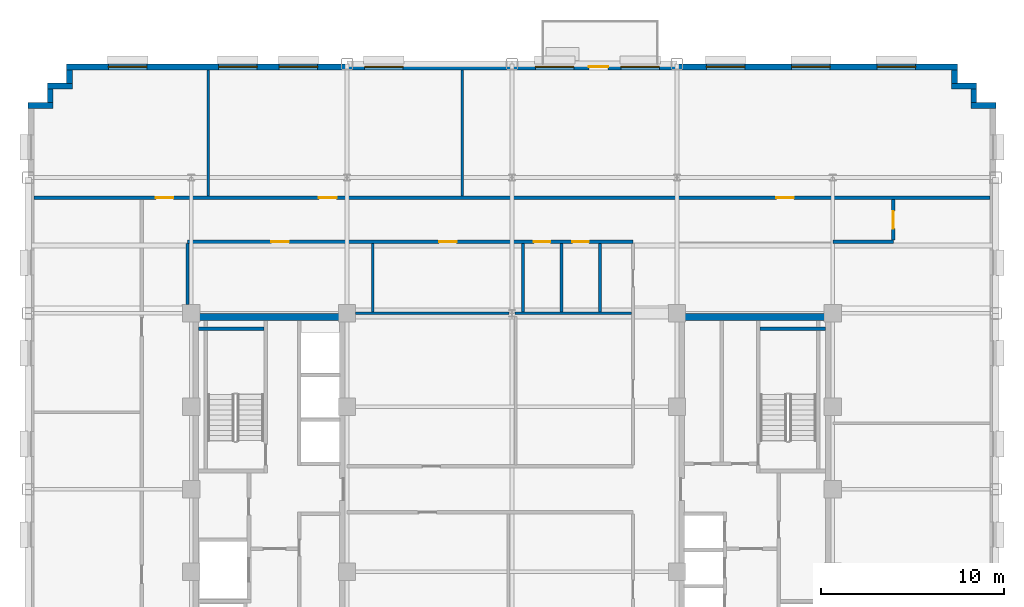
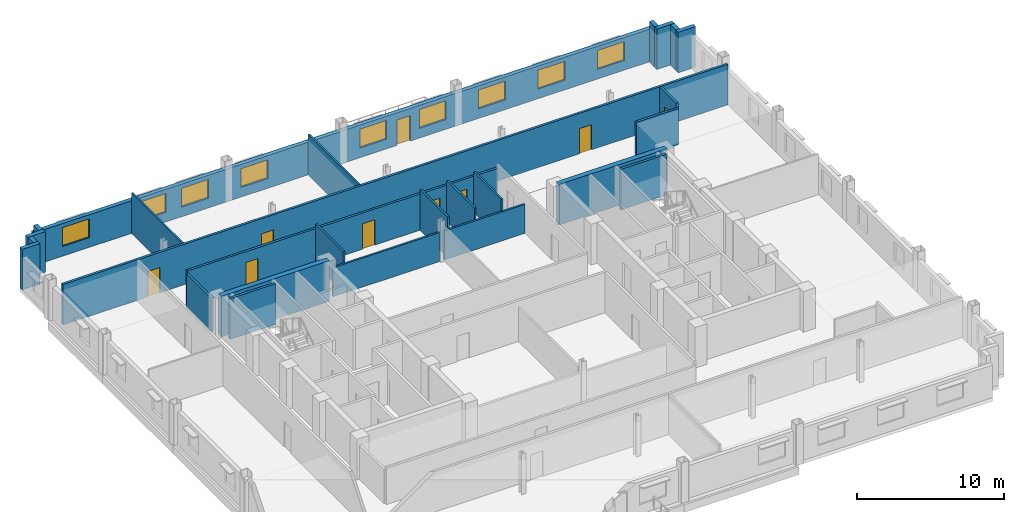
# One storey, part 9 of 14: 26 walls, 9 doors, 9 windows, 18 openings.
"""IFC4 building model written with IfcOpenShell, lengths in metres."""

from ifc_helpers import new_model, si_unit, direction, frame, frame_2d, origin, place, context, subcontext, project, spatial, rectangle, extrude, source, transform, mapped, material, layer, layer_set, type_object, type_shapes, element, fill, save


model = new_model("IFC4")

# Units and contexts
model_context = context("Model", 3, precision=1e-05, world=origin(), true_north=direction((0.0, 1.0)))
body_context = subcontext(model_context, "Body", "Model", "MODEL_VIEW")
ifc_project = project(units=[si_unit("LENGTHUNIT", "METRE"), si_unit("AREAUNIT", "SQUARE_METRE"), si_unit("VOLUMEUNIT", "CUBIC_METRE"), si_unit("PLANEANGLEUNIT", "RADIAN"), si_unit("MASSUNIT", "GRAM", prefix="KILO")], contexts=[model_context])

# Site, building, storey
site_placement = place(None, origin())
site = spatial("IfcSite", under=ifc_project, at=site_placement, CompositionType="ELEMENT")
building_placement = place(site_placement, origin())
building = spatial("IfcBuilding", under=site, at=building_placement, Name="Nuvemarco Arch Tower", CompositionType="ELEMENT")
storey_placement = place(building_placement, frame((0.0, 0.0, 138.449951171875)))
storey = spatial("IfcBuildingStorey", under=building, at=storey_placement, Name="L36", CompositionType="ELEMENT", Elevation=138.449951171875)

# Walls
ifc_material_1 = material(Name="Precast concrete C45/55", Category="concrete")
ifc_layer_1 = layer(ifc_material_1, 0.320068359375, Name="EW-MID-320")
ifc_layer_set_1 = layer_set([ifc_layer_1], Name="Precast concrete C45/55")
wall_type_1 = type_object("IfcWallType", Name="EW-MID-320", PredefinedType="STANDARD", material=ifc_layer_set_1)
wall_1_placement = place(storey_placement, frame((25.030029296875, 20.93994140625, 0.0), z_axis=(0.0, 0.0, 1.0), x_axis=(1.0, 0.0, 0.0)))
element("IfcWall", 1, at=wall_1_placement, inside=storey, type_object=wall_type_1, Name="L36 exterior precast facade wall 7", PredefinedType="STANDARD", context=body_context, shape_type="SweptSolid", body=[
    extrude(rectangle(XDim=1.369873046875, YDim=0.320068359375, at=frame_2d((0.68505859375, 0.0))), origin(), (0.0, 0.0, 1.0), 3.360107421875),
])
wall_2_placement = place(storey_placement, frame((25.18994140625, 21.095947265625, 0.0), z_axis=(0.0, 0.0, 1.0), x_axis=(0.0, 1.0, 0.0)))
element("IfcWall", 2, at=wall_2_placement, inside=storey, type_object=wall_type_1, Name="L36 exterior precast facade wall 8", PredefinedType="STANDARD", context=body_context, shape_type="SweptSolid", body=[
    extrude(rectangle(XDim=0.738037109375, YDim=0.320068359375, at=frame_2d((0.369140625, 0.0))), origin(), (0.0, 0.0, 1.0), 3.360107421875),
])
wall_3_placement = place(storey_placement, frame((23.97998046875, 21.989990234375, 0.0), z_axis=(0.0, 0.0, 1.0), x_axis=(1.0, 0.0, 0.0)))
element("IfcWall", 3, at=wall_3_placement, inside=storey, type_object=wall_type_1, Name="L36 exterior precast facade wall 9", PredefinedType="STANDARD", context=body_context, shape_type="SweptSolid", body=[
    extrude(rectangle(XDim=1.3701171875, YDim=0.320068359375, at=frame_2d((0.68505859375, 0.0))), origin(), (0.0, 0.0, 1.0), 3.360107421875),
])
wall_4_placement = place(storey_placement, frame((24.139892578125, 22.14599609375, 0.0), z_axis=(0.0, 0.0, 1.0), x_axis=(0.0, 1.0, 0.0)))
element("IfcWall", 4, at=wall_4_placement, inside=storey, type_object=wall_type_1, Name="L36 exterior precast facade wall 10", PredefinedType="STANDARD", context=body_context, shape_type="SweptSolid", body=[
    extrude(rectangle(XDim=0.738037109375, YDim=0.320068359375, at=frame_2d((0.369140625, 0.0))), origin(), (0.0, 0.0, 1.0), 3.360107421875),
])

# Wall, openings, door, windows
wall_5_placement = place(storey_placement, frame((-24.300048828125, 23.0400390625, 0.0), z_axis=(0.0, 0.0, 1.0), x_axis=(1.0, 0.0, 0.0)))
wall_5 = element("IfcWall", 5, at=wall_5_placement, inside=storey, type_object=wall_type_1, Name="L36 exterior precast facade wall 11", PredefinedType="STANDARD", context=body_context, shape_type="SweptSolid", body=[
    extrude(rectangle(XDim=48.60009765625, YDim=0.320068359375, at=frame_2d((24.300048828125, 0.0))), origin(), (0.0, 0.0, 1.0), 2.705078125),
])
opening_1_placement = place(wall_5_placement, frame((28.5, 0.0, 0.0)))
opening_1 = element("IfcOpeningElement", 6, at=opening_1_placement, cuts=wall_5, Name="Opening ED-5", PredefinedType="OPENING", context=body_context, shape_type="SweptSolid", body=[
    extrude(rectangle(XDim=1.050048828125, YDim=2.10009765625, at=frame_2d((0.52490234375, 1.050048828125))), frame((0.0, 0.169921875, 0.0), z_axis=(0.0, -1.0, 0.0), x_axis=(1.0, 0.0, 0.0)), (0.0, 0.0, 1.0), 0.340087890625),
])
opening_2_placement = place(wall_5_placement, frame((2.280029296875, 0.0, 0.800048828125)))
opening_2 = element("IfcOpeningElement", 7, at=opening_2_placement, cuts=wall_5, Name="Opening WN-5", PredefinedType="OPENING", context=body_context, shape_type="SweptSolid", body=[
    extrude(rectangle(XDim=2.10009765625, YDim=1.56005859375, at=frame_2d((1.050048828125, 0.780029296875))), frame((0.0, 0.169921875, 0.0), z_axis=(0.0, -1.0, 0.0), x_axis=(1.0, 0.0, 0.0)), (0.0, 0.0, 1.0), 0.340087890625),
])
opening_3_placement = place(wall_5_placement, frame((8.2900390625, 0.0, 0.800048828125)))
opening_3 = element("IfcOpeningElement", 8, at=opening_3_placement, cuts=wall_5, Name="Opening WN-5", PredefinedType="OPENING", context=body_context, shape_type="SweptSolid", body=[
    extrude(rectangle(XDim=2.10009765625, YDim=1.56005859375, at=frame_2d((1.050048828125, 0.780029296875))), frame((0.0, 0.169921875, 0.0), z_axis=(0.0, -1.0, 0.0), x_axis=(1.0, 0.0, 0.0)), (0.0, 0.0, 1.0), 0.340087890625),
])
opening_4_placement = place(wall_5_placement, frame((11.60009765625, 0.0, 0.800048828125)))
opening_4 = element("IfcOpeningElement", 9, at=opening_4_placement, cuts=wall_5, Name="Opening WN-5", PredefinedType="OPENING", context=body_context, shape_type="SweptSolid", body=[
    extrude(rectangle(XDim=2.10009765625, YDim=1.56005859375, at=frame_2d((1.050048828125, 0.780029296875))), frame((0.0, 0.169921875, 0.0), z_axis=(0.0, -1.0, 0.0), x_axis=(1.0, 0.0, 0.0)), (0.0, 0.0, 1.0), 0.340087890625),
])
opening_5_placement = place(wall_5_placement, frame((16.260009765625, 0.0, 0.800048828125)))
opening_5 = element("IfcOpeningElement", 10, at=opening_5_placement, cuts=wall_5, Name="Opening WN-5", PredefinedType="OPENING", context=body_context, shape_type="SweptSolid", body=[
    extrude(rectangle(XDim=2.10009765625, YDim=1.56005859375, at=frame_2d((1.050048828125, 0.780029296875))), frame((0.0, 0.169921875, 0.0), z_axis=(0.0, -1.0, 0.0), x_axis=(1.0, 0.0, 0.0)), (0.0, 0.0, 1.0), 0.340087890625),
])
opening_6_placement = place(wall_5_placement, frame((25.580078125, 0.0, 0.800048828125)))
opening_6 = element("IfcOpeningElement", 11, at=opening_6_placement, cuts=wall_5, Name="Opening WN-5", PredefinedType="OPENING", context=body_context, shape_type="SweptSolid", body=[
    extrude(rectangle(XDim=2.10009765625, YDim=1.56005859375, at=frame_2d((1.050048828125, 0.780029296875))), frame((0.0, 0.169921875, 0.0), z_axis=(0.0, -1.0, 0.0), x_axis=(1.0, 0.0, 0.0)), (0.0, 0.0, 1.0), 0.340087890625),
])
opening_7_placement = place(wall_5_placement, frame((30.239990234375, 0.0, 0.800048828125)))
opening_7 = element("IfcOpeningElement", 12, at=opening_7_placement, cuts=wall_5, Name="Opening WN-5", PredefinedType="OPENING", context=body_context, shape_type="SweptSolid", body=[
    extrude(rectangle(XDim=2.10009765625, YDim=1.56005859375, at=frame_2d((1.050048828125, 0.780029296875))), frame((0.0, 0.169921875, 0.0), z_axis=(0.0, -1.0, 0.0), x_axis=(1.0, 0.0, 0.0)), (0.0, 0.0, 1.0), 0.340087890625),
])
opening_8_placement = place(wall_5_placement, frame((34.89990234375, 0.0, 0.800048828125)))
opening_8 = element("IfcOpeningElement", 13, at=opening_8_placement, cuts=wall_5, Name="Opening WN-5", PredefinedType="OPENING", context=body_context, shape_type="SweptSolid", body=[
    extrude(rectangle(XDim=2.10009765625, YDim=1.56005859375, at=frame_2d((1.050048828125, 0.780029296875))), frame((0.0, 0.169921875, 0.0), z_axis=(0.0, -1.0, 0.0), x_axis=(1.0, 0.0, 0.0)), (0.0, 0.0, 1.0), 0.340087890625),
])
opening_9_placement = place(wall_5_placement, frame((39.56005859375, 0.0, 0.800048828125)))
opening_9 = element("IfcOpeningElement", 14, at=opening_9_placement, cuts=wall_5, Name="Opening WN-5", PredefinedType="OPENING", context=body_context, shape_type="SweptSolid", body=[
    extrude(rectangle(XDim=2.10009765625, YDim=1.56005859375, at=frame_2d((1.050048828125, 0.780029296875))), frame((0.0, 0.169921875, 0.0), z_axis=(0.0, -1.0, 0.0), x_axis=(1.0, 0.0, 0.0)), (0.0, 0.0, 1.0), 0.340087890625),
])
opening_10_placement = place(wall_5_placement, frame((44.219970703125, 0.0, 0.800048828125)))
opening_10 = element("IfcOpeningElement", 15, at=opening_10_placement, cuts=wall_5, Name="Opening WN-5", PredefinedType="OPENING", context=body_context, shape_type="SweptSolid", body=[
    extrude(rectangle(XDim=2.10009765625, YDim=1.56005859375, at=frame_2d((1.050048828125, 0.780029296875))), frame((0.0, 0.169921875, 0.0), z_axis=(0.0, -1.0, 0.0), x_axis=(1.0, 0.0, 0.0)), (0.0, 0.0, 1.0), 0.340087890625),
])
ifc_material_2 = material(Name="Anodised bronze and laminated glass", Category="glass")
door_type_1 = type_object("IfcDoorType", Name="DR-EXT-TERR", OperationType="NOTDEFINED", PredefinedType="DOOR", material=ifc_material_2)
shared_shape_1 = source(origin(), body_context, "Body", "SweptSolid", [
    extrude(rectangle(XDim=1.050048828125, YDim=2.10009765625, at=frame_2d((0.52490234375, 1.050048828125))), frame((0.0, 0.02490234375, 0.0), z_axis=(0.0, -1.0, 0.0), x_axis=(1.0, 0.0, 0.0)), (0.0, 0.0, 1.0), 0.050048828125),
])
type_shapes(door_type_1, [shared_shape_1])
door_1_placement = place(opening_1_placement, origin())
door_1 = element("IfcDoor", 16, at=door_1_placement, inside=storey, type_object=door_type_1, Name="L36 spiral terrace access door", OperationType="SINGLE_SWING_LEFT", OverallHeight=2.10009765625, OverallWidth=1.050048828125, PredefinedType="DOOR", context=body_context, shape_type="MappedRepresentation", body=[
    mapped(shared_shape_1, transform((0.0, 0.0, 0.0), scale=1.0)),
])
fill(opening_1, door_1)
ifc_material_3 = material(Name="Insulated solar-control glass", Category="glass")
window_type = type_object("IfcWindowType", Name="WN-MID-2100x1560", PartitioningType="DOUBLE_PANEL_VERTICAL", PredefinedType="WINDOW", material=ifc_material_3)
shared_shape_2 = source(origin(), body_context, "Body", "SweptSolid", [
    extrude(rectangle(XDim=2.10009765625, YDim=1.56005859375, at=frame_2d((1.050048828125, 0.780029296875))), frame((0.0, 0.030029296875, 0.0), z_axis=(0.0, -1.0, 0.0), x_axis=(1.0, 0.0, 0.0)), (0.0, 0.0, 1.0), 0.06005859375),
])
type_shapes(window_type, [shared_shape_2])
window_1_placement = place(opening_2_placement, origin())
window_1 = element("IfcWindow", 17, at=window_1_placement, inside=storey, type_object=window_type, Name="L36 punched facade window 1", OverallHeight=1.56005859375, OverallWidth=2.10009765625, PartitioningType="SINGLE_PANEL", PredefinedType="WINDOW", context=body_context, shape_type="MappedRepresentation", body=[
    mapped(shared_shape_2, transform((0.0, 0.0, 0.0), scale=1.0)),
])
fill(opening_2, window_1)
window_2_placement = place(opening_3_placement, origin())
window_2 = element("IfcWindow", 18, at=window_2_placement, inside=storey, type_object=window_type, Name="L36 punched facade window 2", OverallHeight=1.56005859375, OverallWidth=2.10009765625, PartitioningType="SINGLE_PANEL", PredefinedType="WINDOW", context=body_context, shape_type="MappedRepresentation", body=[
    mapped(shared_shape_2, transform((0.0, 0.0, 0.0), scale=1.0)),
])
fill(opening_3, window_2)
window_3_placement = place(opening_4_placement, origin())
window_3 = element("IfcWindow", 19, at=window_3_placement, inside=storey, type_object=window_type, Name="L36 punched facade window 3", OverallHeight=1.56005859375, OverallWidth=2.10009765625, PartitioningType="SINGLE_PANEL", PredefinedType="WINDOW", context=body_context, shape_type="MappedRepresentation", body=[
    mapped(shared_shape_2, transform((0.0, 0.0, 0.0), scale=1.0)),
])
fill(opening_4, window_3)
window_4_placement = place(opening_5_placement, origin())
window_4 = element("IfcWindow", 20, at=window_4_placement, inside=storey, type_object=window_type, Name="L36 punched facade window 4", OverallHeight=1.56005859375, OverallWidth=2.10009765625, PartitioningType="SINGLE_PANEL", PredefinedType="WINDOW", context=body_context, shape_type="MappedRepresentation", body=[
    mapped(shared_shape_2, transform((0.0, 0.0, 0.0), scale=1.0)),
])
fill(opening_5, window_4)
window_5_placement = place(opening_6_placement, origin())
window_5 = element("IfcWindow", 21, at=window_5_placement, inside=storey, type_object=window_type, Name="L36 punched facade window 6", OverallHeight=1.56005859375, OverallWidth=2.10009765625, PartitioningType="SINGLE_PANEL", PredefinedType="WINDOW", context=body_context, shape_type="MappedRepresentation", body=[
    mapped(shared_shape_2, transform((0.0, 0.0, 0.0), scale=1.0)),
])
fill(opening_6, window_5)
window_6_placement = place(opening_7_placement, origin())
window_6 = element("IfcWindow", 22, at=window_6_placement, inside=storey, type_object=window_type, Name="L36 punched facade window 7", OverallHeight=1.56005859375, OverallWidth=2.10009765625, PartitioningType="SINGLE_PANEL", PredefinedType="WINDOW", context=body_context, shape_type="MappedRepresentation", body=[
    mapped(shared_shape_2, transform((0.0, 0.0, 0.0), scale=1.0)),
])
fill(opening_7, window_6)
window_7_placement = place(opening_8_placement, origin())
window_7 = element("IfcWindow", 23, at=window_7_placement, inside=storey, type_object=window_type, Name="L36 punched facade window 8", OverallHeight=1.56005859375, OverallWidth=2.10009765625, PartitioningType="SINGLE_PANEL", PredefinedType="WINDOW", context=body_context, shape_type="MappedRepresentation", body=[
    mapped(shared_shape_2, transform((0.0, 0.0, 0.0), scale=1.0)),
])
fill(opening_8, window_7)
window_8_placement = place(opening_9_placement, origin())
window_8 = element("IfcWindow", 24, at=window_8_placement, inside=storey, type_object=window_type, Name="L36 punched facade window 9", OverallHeight=1.56005859375, OverallWidth=2.10009765625, PartitioningType="SINGLE_PANEL", PredefinedType="WINDOW", context=body_context, shape_type="MappedRepresentation", body=[
    mapped(shared_shape_2, transform((0.0, 0.0, 0.0), scale=1.0)),
])
fill(opening_9, window_8)
window_9_placement = place(opening_10_placement, origin())
window_9 = element("IfcWindow", 25, at=window_9_placement, inside=storey, type_object=window_type, Name="L36 punched facade window 10", OverallHeight=1.56005859375, OverallWidth=2.10009765625, PartitioningType="SINGLE_PANEL", PredefinedType="WINDOW", context=body_context, shape_type="MappedRepresentation", body=[
    mapped(shared_shape_2, transform((0.0, 0.0, 0.0), scale=1.0)),
])
fill(opening_10, window_9)

# Walls
wall_6_placement = place(storey_placement, frame((-24.139892578125, 22.14599609375, 0.0), z_axis=(0.0, 0.0, 1.0), x_axis=(0.0, 1.0, 0.0)))
element("IfcWall", 26, at=wall_6_placement, inside=storey, type_object=wall_type_1, Name="L36 exterior precast facade wall 12", PredefinedType="STANDARD", context=body_context, shape_type="SweptSolid", body=[
    extrude(rectangle(XDim=0.738037109375, YDim=0.320068359375, at=frame_2d((0.369140625, 0.0))), origin(), (0.0, 0.0, 1.0), 3.360107421875),
])
wall_7_placement = place(storey_placement, frame((-25.35009765625, 21.989990234375, 0.0), z_axis=(0.0, 0.0, 1.0), x_axis=(1.0, 0.0, 0.0)))
element("IfcWall", 27, at=wall_7_placement, inside=storey, type_object=wall_type_1, Name="L36 exterior precast facade wall 13", PredefinedType="STANDARD", context=body_context, shape_type="SweptSolid", body=[
    extrude(rectangle(XDim=1.3701171875, YDim=0.320068359375, at=frame_2d((0.68505859375, 0.0))), origin(), (0.0, 0.0, 1.0), 3.360107421875),
])
wall_8_placement = place(storey_placement, frame((-25.18994140625, 21.095947265625, 0.0), z_axis=(0.0, 0.0, 1.0), x_axis=(0.0, 1.0, 0.0)))
element("IfcWall", 28, at=wall_8_placement, inside=storey, type_object=wall_type_1, Name="L36 exterior precast facade wall 14", PredefinedType="STANDARD", context=body_context, shape_type="SweptSolid", body=[
    extrude(rectangle(XDim=0.738037109375, YDim=0.320068359375, at=frame_2d((0.369140625, 0.0))), origin(), (0.0, 0.0, 1.0), 3.360107421875),
])
wall_9_placement = place(storey_placement, frame((-26.39990234375, 20.93994140625, 0.0), z_axis=(0.0, 0.0, 1.0), x_axis=(1.0, 0.0, 0.0)))
element("IfcWall", 29, at=wall_9_placement, inside=storey, type_object=wall_type_1, Name="L36 exterior precast facade wall 15", PredefinedType="STANDARD", context=body_context, shape_type="SweptSolid", body=[
    extrude(rectangle(XDim=1.369873046875, YDim=0.320068359375, at=frame_2d((0.68505859375, 0.0))), origin(), (0.0, 0.0, 1.0), 3.360107421875),
])
ifc_material_4 = material(Name="Concrete C60/75", Category="concrete")
ifc_layer_2 = layer(ifc_material_4, 0.39990234375, Name="WL-CORE-400")
ifc_layer_set_2 = layer_set([ifc_layer_2], Name="Concrete C60/75")
wall_type_2 = type_object("IfcWallType", Name="WL-CORE-400", PredefinedType="SHEAR", material=ifc_layer_set_2)
for number, where, z_axis, x_axis, name in (
    (30, (-17.5, 9.39990234375, 0.0), (0.0, 0.0, 1.0), (1.0, 0.0, 0.0), "L36 W-core shear wall N"),
    (31, (9.0, 9.39990234375, 0.0), (0.0, 0.0, 1.0), (1.0, 0.0, 0.0), "L36 E-core shear wall N"),
):
    element("IfcWall", number, at=place(storey_placement, frame(where, z_axis=z_axis, x_axis=x_axis)), inside=storey, type_object=wall_type_2, Name=name, PredefinedType="SHEAR", context=body_context, shape_type="SweptSolid", body=[
        extrude(rectangle(XDim=8.5, YDim=0.39990234375, at=frame_2d((4.25, 0.0))), origin(), (0.0, 0.0, 1.0), 3.3701171875),
    ])

# Wall, openings, doors
ifc_material_5 = material(Name="Fire-rated gypsum drywall partition")
ifc_layer_3 = layer(ifc_material_5, 0.179931640625, Name="WL-CORR-180")
ifc_layer_set_3 = layer_set([ifc_layer_3], Name="Fire-rated gypsum drywall partition")
wall_type_3 = type_object("IfcWallType", Name="WL-CORR-180", PredefinedType="PARTITIONING", material=ifc_layer_set_3)
wall_10_placement = place(storey_placement, frame((-17.699951171875, 13.5, 0.0), z_axis=(0.0, 0.0, 1.0), x_axis=(1.0, 0.0, 0.0)))
wall_10 = element("IfcWall", 32, at=wall_10_placement, inside=storey, type_object=wall_type_3, Name="L36 interior wall IW-L36-012", PredefinedType="PARTITIONING", context=body_context, shape_type="SweptSolid", body=[
    extrude(rectangle(XDim=24.300048828125, YDim=0.179931640625, at=frame_2d((12.14990234375, 0.0))), origin(), (0.0, 0.0, 1.0), 2.998046875),
])
opening_11_placement = place(wall_10_placement, frame((4.570068359375, 0.0, 0.0)))
opening_11 = element("IfcOpeningElement", 33, at=opening_11_placement, cuts=wall_10, Name="Opening FD-5", PredefinedType="OPENING", context=body_context, shape_type="SweptSolid", body=[
    extrude(rectangle(XDim=0.9599609375, YDim=2.10009765625, at=frame_2d((0.47998046875, 1.050048828125))), frame((0.0, 0.099853515625, 0.0), z_axis=(0.0, -1.0, 0.0), x_axis=(1.0, 0.0, 0.0)), (0.0, 0.0, 1.0), 0.199951171875),
])
opening_12_placement = place(wall_10_placement, frame((13.719970703125, 0.0, 0.0)))
opening_12 = element("IfcOpeningElement", 34, at=opening_12_placement, cuts=wall_10, Name="Opening FD-5", PredefinedType="OPENING", context=body_context, shape_type="SweptSolid", body=[
    extrude(rectangle(XDim=0.9599609375, YDim=2.10009765625, at=frame_2d((0.47998046875, 1.050048828125))), frame((0.0, 0.099853515625, 0.0), z_axis=(0.0, -1.0, 0.0), x_axis=(1.0, 0.0, 0.0)), (0.0, 0.0, 1.0), 0.199951171875),
])
opening_13_placement = place(wall_10_placement, frame((18.89990234375, 0.0, 0.0)))
opening_13 = element("IfcOpeningElement", 35, at=opening_13_placement, cuts=wall_10, Name="Opening ID-3", PredefinedType="OPENING", context=body_context, shape_type="SweptSolid", body=[
    extrude(rectangle(XDim=0.89990234375, YDim=2.10009765625, at=frame_2d((0.449951171875, 1.050048828125))), frame((0.0, 0.099853515625, 0.0), z_axis=(0.0, -1.0, 0.0), x_axis=(1.0, 0.0, 0.0)), (0.0, 0.0, 1.0), 0.199951171875),
])
opening_14_placement = place(wall_10_placement, frame((21.0, 0.0, 0.0)))
opening_14 = element("IfcOpeningElement", 36, at=opening_14_placement, cuts=wall_10, Name="Opening ID-3", PredefinedType="OPENING", context=body_context, shape_type="SweptSolid", body=[
    extrude(rectangle(XDim=0.89990234375, YDim=2.10009765625, at=frame_2d((0.449951171875, 1.050048828125))), frame((0.0, 0.099853515625, 0.0), z_axis=(0.0, -1.0, 0.0), x_axis=(1.0, 0.0, 0.0)), (0.0, 0.0, 1.0), 0.199951171875),
])
ifc_material_6 = material(Name="Timber fire door", Category="wood")
door_type_2 = type_object("IfcDoorType", Name="DR-CORR-FD", OperationType="NOTDEFINED", PredefinedType="DOOR", material=ifc_material_6)
shared_shape_3 = source(origin(), body_context, "Body", "SweptSolid", [
    extrude(rectangle(XDim=0.9599609375, YDim=2.10009765625, at=frame_2d((0.47998046875, 1.050048828125))), frame((0.0, 0.02490234375, 0.0), z_axis=(0.0, -1.0, 0.0), x_axis=(1.0, 0.0, 0.0)), (0.0, 0.0, 1.0), 0.050048828125),
])
type_shapes(door_type_2, [shared_shape_3])
door_2_placement = place(opening_11_placement, origin())
door_2 = element("IfcDoor", 37, at=door_2_placement, inside=storey, type_object=door_type_2, Name="L36 door DR-L36-IN_N1", OperationType="SINGLE_SWING_LEFT", OverallHeight=2.10009765625, OverallWidth=0.9599609375, PredefinedType="DOOR", context=body_context, shape_type="MappedRepresentation", body=[
    mapped(shared_shape_3, transform((0.0, 0.0, 0.0), scale=1.0)),
])
fill(opening_11, door_2)
door_3_placement = place(opening_12_placement, origin())
door_3 = element("IfcDoor", 38, at=door_3_placement, inside=storey, type_object=door_type_2, Name="L36 door DR-L36-IN_N2", OperationType="SINGLE_SWING_LEFT", OverallHeight=2.10009765625, OverallWidth=0.9599609375, PredefinedType="DOOR", context=body_context, shape_type="MappedRepresentation", body=[
    mapped(shared_shape_3, transform((0.0, 0.0, 0.0), scale=1.0)),
])
fill(opening_12, door_3)
ifc_material_7 = material(Name="Veneered oak timber fire door", Category="wood")
door_type_3 = type_object("IfcDoorType", Name="DR-WC-ACC", OperationType="NOTDEFINED", PredefinedType="DOOR", material=ifc_material_7)
shared_shape_4 = source(origin(), body_context, "Body", "SweptSolid", [
    extrude(rectangle(XDim=0.89990234375, YDim=2.10009765625, at=frame_2d((0.449951171875, 1.050048828125))), frame((0.0, 0.02490234375, 0.0), z_axis=(0.0, -1.0, 0.0), x_axis=(1.0, 0.0, 0.0)), (0.0, 0.0, 1.0), 0.050048828125),
])
type_shapes(door_type_3, [shared_shape_4])
door_4_placement = place(opening_13_placement, origin())
door_4 = element("IfcDoor", 39, at=door_4_placement, inside=storey, type_object=door_type_3, Name="L36 door DR-L36-WC_M", OperationType="SINGLE_SWING_RIGHT", OverallHeight=2.10009765625, OverallWidth=0.89990234375, PredefinedType="DOOR", context=body_context, shape_type="MappedRepresentation", body=[
    mapped(shared_shape_4, transform((0.0, 0.0, 0.0), scale=1.0)),
])
fill(opening_13, door_4)
door_5_placement = place(opening_14_placement, origin())
door_5 = element("IfcDoor", 40, at=door_5_placement, inside=storey, type_object=door_type_3, Name="L36 door DR-L36-WC_F", OperationType="SINGLE_SWING_LEFT", OverallHeight=2.10009765625, OverallWidth=0.89990234375, PredefinedType="DOOR", context=body_context, shape_type="MappedRepresentation", body=[
    mapped(shared_shape_4, transform((0.0, 0.0, 0.0), scale=1.0)),
])
fill(opening_14, door_5)

# Wall
wall_11_placement = place(storey_placement, frame((17.5, 13.5, 0.0), z_axis=(0.0, 0.0, 1.0), x_axis=(1.0, 0.0, 0.0)))
element("IfcWall", 41, at=wall_11_placement, inside=storey, type_object=wall_type_3, Name="L36 interior wall IW-L36-013", PredefinedType="PARTITIONING", context=body_context, shape_type="SweptSolid", body=[
    extrude(rectangle(XDim=3.300048828125, YDim=0.179931640625, at=frame_2d((1.64990234375, 0.0))), origin(), (0.0, 0.0, 1.0), 2.998046875),
])

# Wall, openings, doors
wall_12_placement = place(storey_placement, frame((-26.080078125, 15.89990234375, 0.0), z_axis=(0.0, 0.0, 1.0), x_axis=(1.0, 0.0, 0.0)))
wall_12 = element("IfcWall", 42, at=wall_12_placement, inside=storey, type_object=wall_type_3, Name="L36 interior wall IW-L36-014", PredefinedType="PARTITIONING", context=body_context, shape_type="SweptSolid", body=[
    extrude(rectangle(XDim=52.16015625, YDim=0.179931640625, at=frame_2d((26.080078125, 0.0))), origin(), (0.0, 0.0, 1.0), 3.360107421875),
])
opening_15_placement = place(wall_12_placement, frame((15.550048828125, 0.0, 0.0)))
opening_15 = element("IfcOpeningElement", 43, at=opening_15_placement, cuts=wall_12, Name="Opening FD-5", PredefinedType="OPENING", context=body_context, shape_type="SweptSolid", body=[
    extrude(rectangle(XDim=0.9599609375, YDim=2.10009765625, at=frame_2d((0.47998046875, 1.050048828125))), frame((0.0, 0.099853515625, 0.0), z_axis=(0.0, -1.0, 0.0), x_axis=(1.0, 0.0, 0.0)), (0.0, 0.0, 1.0), 0.199951171875),
])
opening_16_placement = place(wall_12_placement, frame((40.5, 0.0, 0.0)))
opening_16 = element("IfcOpeningElement", 44, at=opening_16_placement, cuts=wall_12, Name="Opening FD-5", PredefinedType="OPENING", context=body_context, shape_type="SweptSolid", body=[
    extrude(rectangle(XDim=0.9599609375, YDim=2.10009765625, at=frame_2d((0.47998046875, 1.050048828125))), frame((0.0, 0.099853515625, 0.0), z_axis=(0.0, -1.0, 0.0), x_axis=(1.0, 0.0, 0.0)), (0.0, 0.0, 1.0), 0.199951171875),
])
opening_17_placement = place(wall_12_placement, frame((6.64990234375, 0.0, 0.0)))
opening_17 = element("IfcOpeningElement", 45, at=opening_17_placement, cuts=wall_12, Name="Opening FD-5", PredefinedType="OPENING", context=body_context, shape_type="SweptSolid", body=[
    extrude(rectangle(XDim=0.9599609375, YDim=2.10009765625, at=frame_2d((0.47998046875, 1.050048828125))), frame((0.0, 0.099853515625, 0.0), z_axis=(0.0, -1.0, 0.0), x_axis=(1.0, 0.0, 0.0)), (0.0, 0.0, 1.0), 0.199951171875),
])
door_6_placement = place(opening_15_placement, origin())
door_6 = element("IfcDoor", 46, at=door_6_placement, inside=storey, type_object=door_type_2, Name="L36 door DR-L36-N_2", OperationType="SINGLE_SWING_RIGHT", OverallHeight=2.10009765625, OverallWidth=0.9599609375, PredefinedType="DOOR", context=body_context, shape_type="MappedRepresentation", body=[
    mapped(shared_shape_3, transform((0.0, 0.0, 0.0), scale=1.0)),
])
fill(opening_15, door_6)
door_7_placement = place(opening_16_placement, origin())
door_7 = element("IfcDoor", 47, at=door_7_placement, inside=storey, type_object=door_type_2, Name="L36 door DR-L36-N_3", OperationType="SINGLE_SWING_LEFT", OverallHeight=2.10009765625, OverallWidth=0.9599609375, PredefinedType="DOOR", context=body_context, shape_type="MappedRepresentation", body=[
    mapped(shared_shape_3, transform((0.0, 0.0, 0.0), scale=1.0)),
])
fill(opening_16, door_7)
door_8_placement = place(opening_17_placement, origin())
door_8 = element("IfcDoor", 48, at=door_8_placement, inside=storey, type_object=door_type_2, Name="L36 door DR-L36-N_1", OperationType="SINGLE_SWING_LEFT", OverallHeight=2.10009765625, OverallWidth=0.9599609375, PredefinedType="DOOR", context=body_context, shape_type="MappedRepresentation", body=[
    mapped(shared_shape_3, transform((0.0, 0.0, 0.0), scale=1.0)),
])
fill(opening_17, door_8)

# Wall
wall_13_placement = place(storey_placement, frame((-17.699951171875, 10.071044921875, 0.0), z_axis=(0.0, 0.0, 1.0), x_axis=(0.0, 1.0, 0.0)))
element("IfcWall", 49, at=wall_13_placement, inside=storey, type_object=wall_type_3, Name="L36 interior wall IW-L36-017", PredefinedType="PARTITIONING", context=body_context, shape_type="SweptSolid", body=[
    extrude(rectangle(XDim=3.343017578125, YDim=0.179931640625, at=frame_2d((1.67138671875, 0.0))), origin(), (0.0, 0.0, 1.0), 2.816162109375),
])

# Wall, opening, door
wall_14_placement = place(storey_placement, frame((20.800048828125, 13.5859375, 0.0), z_axis=(0.0, 0.0, 1.0), x_axis=(0.0, 1.0, 0.0)))
wall_14 = element("IfcWall", 50, at=wall_14_placement, inside=storey, type_object=wall_type_3, Name="L36 interior wall IW-L36-030", PredefinedType="PARTITIONING", context=body_context, shape_type="SweptSolid", body=[
    extrude(rectangle(XDim=2.22802734375, YDim=0.179931640625, at=frame_2d((1.114013671875, 0.0))), origin(), (0.0, 0.0, 1.0), 3.360107421875),
])
opening_18_placement = place(wall_14_placement, frame((0.634033203125, 0.0, 0.0)))
opening_18 = element("IfcOpeningElement", 51, at=opening_18_placement, cuts=wall_14, Name="Opening FD-5", PredefinedType="OPENING", context=body_context, shape_type="SweptSolid", body=[
    extrude(rectangle(XDim=0.9599609375, YDim=2.10009765625, at=frame_2d((0.47998046875, 1.050048828125))), frame((0.0, 0.099853515625, 0.0), z_axis=(0.0, -1.0, 0.0), x_axis=(1.0, 0.0, 0.0)), (0.0, 0.0, 1.0), 0.199951171875),
])
door_9_placement = place(opening_18_placement, origin())
door_9 = element("IfcDoor", 52, at=door_9_placement, inside=storey, type_object=door_type_2, Name="L36 door DR-L36-E_2", OperationType="SINGLE_SWING_LEFT", OverallHeight=2.10009765625, OverallWidth=0.9599609375, PredefinedType="DOOR", context=body_context, shape_type="MappedRepresentation", body=[
    mapped(shared_shape_3, transform((0.0, 0.0, 0.0), scale=1.0)),
])
fill(opening_18, door_9)

# Walls
ifc_material_8 = material(Name="Glazed acoustic office partition")
ifc_layer_4 = layer(ifc_material_8, 0.1298828125, Name="WL-EXEC-130")
ifc_layer_set_4 = layer_set([ifc_layer_4], Name="Glazed acoustic office partition")
wall_type_4 = type_object("IfcWallType", Name="WL-EXEC-130", PredefinedType="PARTITIONING", material=ifc_layer_set_4)
for number, where, z_axis, x_axis, name in (
    (53, (-16.570068359375, 15.986083984375, 0.0), (0.0, 0.0, 1.0), (0.0, 1.0, 0.0), "L36 interior wall IW-L36-018"),
    (54, (-2.7099609375, 15.986083984375, 0.0), (0.0, 0.0, 1.0), (0.0, 1.0, 0.0), "L36 interior wall IW-L36-020"),
):
    element("IfcWall", number, at=place(storey_placement, frame(where, z_axis=z_axis, x_axis=x_axis)), inside=storey, type_object=wall_type_4, Name=name, PredefinedType="PARTITIONING", context=body_context, shape_type="SweptSolid", body=[
        extrude(rectangle(XDim=6.893798828125, YDim=0.1298828125, at=frame_2d((3.44677734375, 0.0))), origin(), (0.0, 0.0, 1.0), 3.360107421875),
    ])
ifc_material_9 = material(Name="Gypsum plasterboard partition")
ifc_layer_5 = layer(ifc_material_9, 0.139892578125, Name="WL-ROOM-140")
ifc_layer_set_5 = layer_set([ifc_layer_5], Name="Gypsum plasterboard partition")
wall_type_5 = type_object("IfcWallType", Name="WL-ROOM-140", PredefinedType="PARTITIONING", material=ifc_layer_set_5)
wall_15_placement = place(storey_placement, frame((-7.60009765625, 9.6708984375, 0.0), z_axis=(0.0, 0.0, 1.0), x_axis=(0.0, 1.0, 0.0)))
element("IfcWall", 55, at=wall_15_placement, inside=storey, type_object=wall_type_5, Name="L36 interior wall IW-L36-019", PredefinedType="PARTITIONING", context=body_context, shape_type="SweptSolid", body=[
    extrude(rectangle(XDim=3.7431640625, YDim=0.139892578125, at=frame_2d((1.87158203125, 0.0))), origin(), (0.0, 0.0, 1.0), 3.360107421875),
])
ifc_material_10 = material(Name="Concrete C50/60", Category="concrete")
ifc_layer_6 = layer(ifc_material_10, 0.199951171875, Name="WL-SHAFT-220")
ifc_layer_set_6 = layer_set([ifc_layer_6], Name="Concrete C50/60")
wall_type_6 = type_object("IfcWallType", Name="WL-SHAFT-220", PredefinedType="SHEAR", material=ifc_layer_set_6)
for number, where, z_axis, x_axis, name in (
    (56, (-17.10498046875, 8.75, 0.0), (0.0, 0.0, 1.0), (1.0, 0.0, 0.0), "L36 structural shaft wall SW-L36-W-ST1N"),
    (57, (13.534912109375, 8.75, 0.0), (0.0, 0.0, 1.0), (1.0, 0.0, 0.0), "L36 structural shaft wall SW-L36-E-ST2N"),
):
    element("IfcWall", number, at=place(storey_placement, frame(where, z_axis=z_axis, x_axis=x_axis)), inside=storey, type_object=wall_type_6, Name=name, PredefinedType="SHEAR", context=body_context, shape_type="SweptSolid", body=[
        extrude(rectangle(XDim=3.570068359375, YDim=0.199951171875, at=frame_2d((1.78515625, 0.0))), origin(), (0.0, 0.0, 1.0), 3.3701171875),
    ])
ifc_material_11 = material(Name="Moisture-resistant gypsum partition")
ifc_layer_7 = layer(ifc_material_11, 0.14990234375, Name="WL-WET-150")
ifc_layer_set_7 = layer_set([ifc_layer_7], Name="Moisture-resistant gypsum partition")
wall_type_7 = type_object("IfcWallType", Name="WL-WET-150", PredefinedType="PARTITIONING", material=ifc_layer_set_7)
wall_16_placement = place(storey_placement, frame((-8.529052734375, 9.60009765625, 0.0), z_axis=(0.0, 0.0, 1.0), x_axis=(1.0, 0.0, 0.0)))
element("IfcWall", 58, at=wall_16_placement, inside=storey, type_object=wall_type_7, Name="L36 interior wall IW-L36-010", PredefinedType="PARTITIONING", context=body_context, shape_type="SweptSolid", body=[
    extrude(rectangle(XDim=8.35302734375, YDim=0.14990234375, at=frame_2d((4.176513671875, 0.0))), origin(), (0.0, 0.0, 1.0), 2.405029296875),
])
wall_17_placement = place(storey_placement, frame((0.176025390625, 9.60009765625, 0.0), z_axis=(0.0, 0.0, 1.0), x_axis=(1.0, 0.0, 0.0)))
element("IfcWall", 59, at=wall_17_placement, inside=storey, type_object=wall_type_7, Name="L36 interior wall IW-L36-011", PredefinedType="PARTITIONING", context=body_context, shape_type="SweptSolid", body=[
    extrude(rectangle(XDim=6.337890625, YDim=0.14990234375, at=frame_2d((3.1689453125, 0.0))), origin(), (0.0, 0.0, 1.0), 2.405029296875),
])
for number, where, z_axis, x_axis, name in (
    (60, (0.60009765625, 9.6708984375, 0.0), (0.0, 0.0, 1.0), (0.0, 1.0, 0.0), "L36 interior wall IW-L36-023"),
    (61, (2.699951171875, 9.6708984375, 0.0), (0.0, 0.0, 1.0), (0.0, 1.0, 0.0), "L36 interior wall IW-L36-024"),
    (62, (4.800048828125, 9.6708984375, 0.0), (0.0, 0.0, 1.0), (0.0, 1.0, 0.0), "L36 interior wall IW-L36-026"),
):
    element("IfcWall", number, at=place(storey_placement, frame(where, z_axis=z_axis, x_axis=x_axis)), inside=storey, type_object=wall_type_7, Name=name, PredefinedType="PARTITIONING", context=body_context, shape_type="SweptSolid", body=[
        extrude(rectangle(XDim=3.7431640625, YDim=0.14990234375, at=frame_2d((1.87158203125, 0.0))), origin(), (0.0, 0.0, 1.0), 3.360107421875),
    ])

save(model, "model.ifc")
